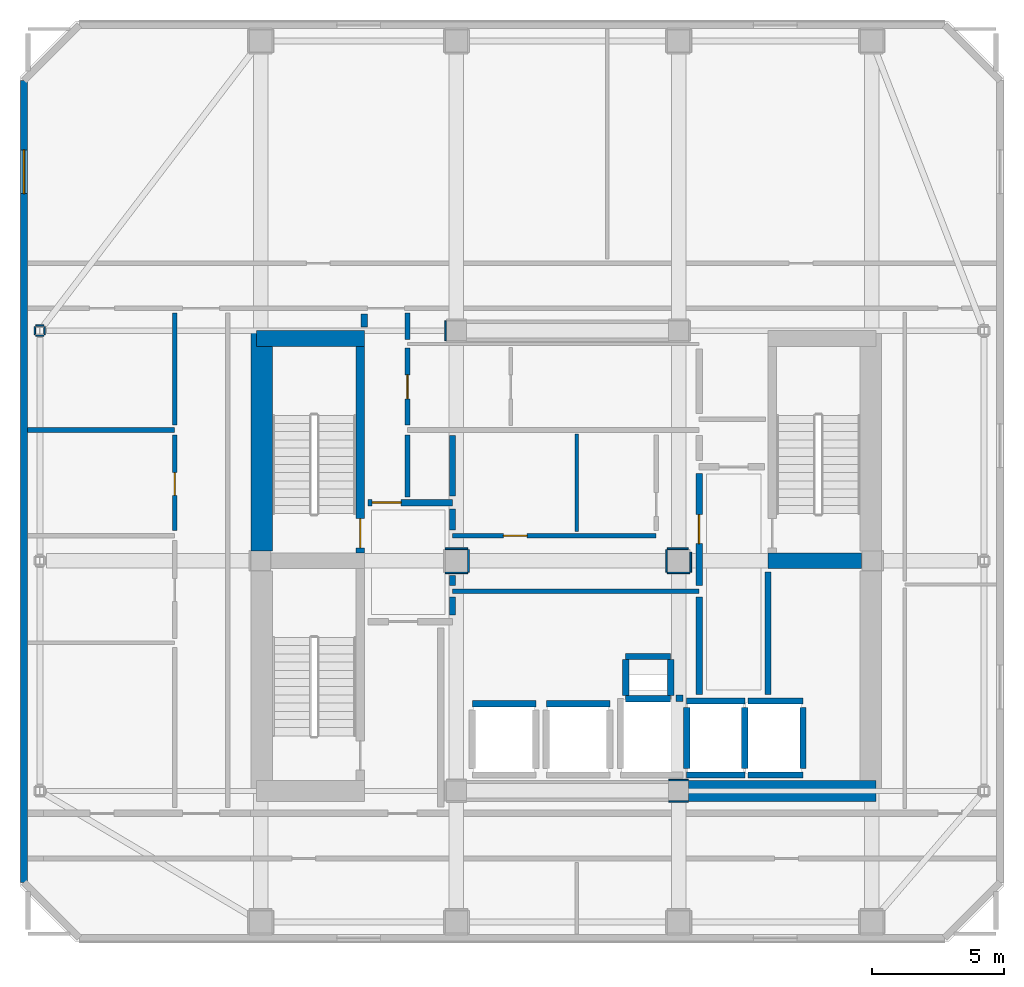
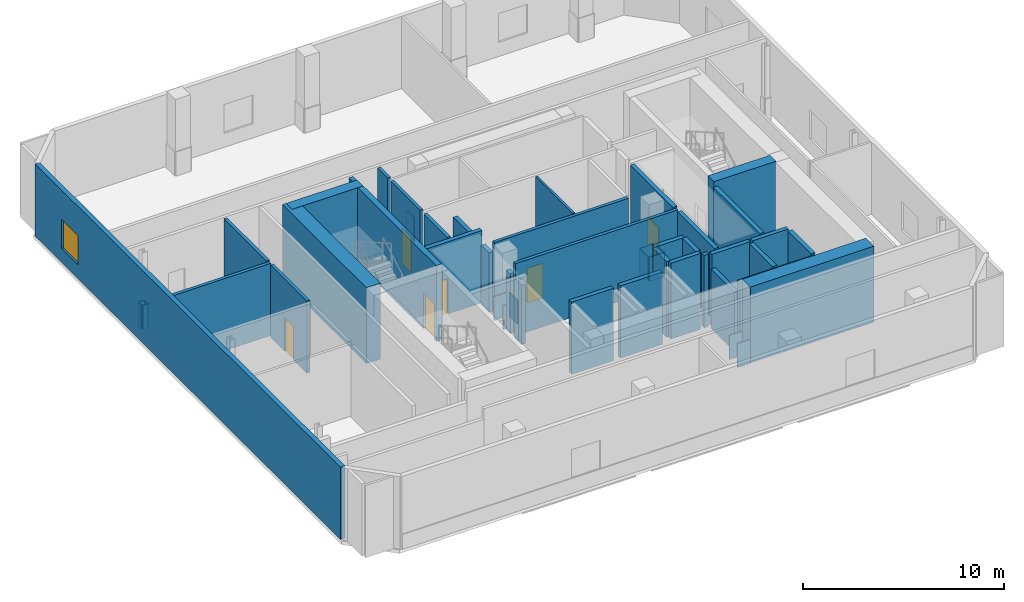
# One storey, part 5 of 10: 52 walls, 6 doors, 1 window, 7 openings.
"""IFC4 building model written with IfcOpenShell, lengths in metres."""

from ifc_helpers import new_model, si_unit, direction, frame, frame_2d, origin, place, context, subcontext, project, spatial, rectangle, extrude, material, layer, layer_set, type_object, element, fill, save


model = new_model("IFC4")

# Units and contexts
model_context = context("Model", 3, precision=1e-05, world=origin(), true_north=direction((0.0, 1.0)))
body_context = subcontext(model_context, "Body", "Model", "MODEL_VIEW")
ifc_project = project(units=[si_unit("LENGTHUNIT", "METRE"), si_unit("AREAUNIT", "SQUARE_METRE"), si_unit("VOLUMEUNIT", "CUBIC_METRE"), si_unit("PLANEANGLEUNIT", "RADIAN"), si_unit("MASSUNIT", "GRAM", prefix="KILO")], contexts=[model_context])

# Site, building, storey
site_placement = place(None, origin())
site = spatial("IfcSite", under=ifc_project, at=site_placement, CompositionType="ELEMENT")
building_placement = place(site_placement, origin())
building = spatial("IfcBuilding", under=site, at=building_placement, Name="Solanera Arch Residences", CompositionType="ELEMENT")
storey_placement = place(building_placement, frame((0.0, 0.0, 268.8798828125)))
storey = spatial("IfcBuildingStorey", under=building, at=storey_placement, Name="L78", CompositionType="ELEMENT", Elevation=268.8798828125)

# Walls
ifc_material_1 = material(Name="Fire-Rated Gypsum Stud Partition", Category="gypsum")
ifc_layer_1 = layer(ifc_material_1, 0.06005859375)
ifc_layer_set_1 = layer_set([ifc_layer_1], Name="Fire-Rated Gypsum Stud Partition")
wall_type_1 = type_object("IfcWallType", Name="Column Acoustic Furring Wall 60", PredefinedType="PARTITIONING", material=ifc_layer_set_1)
for number, where, z_axis, x_axis, name in (
    (1, (28.8330078125, 21.593017578125, 0.0), (0.0, 0.0, 1.0), (1.0, 0.0, 0.0), "L78 Column Furring 2S"),
    (2, (28.8330078125, 22.406982421875, 0.0), (0.0, 0.0, 1.0), (1.0, 0.0, 0.0), "L78 Column Furring 2N"),
):
    element("IfcWall", number, at=place(storey_placement, frame(where, z_axis=z_axis, x_axis=x_axis)), inside=storey, type_object=wall_type_1, Name=name, PredefinedType="PARTITIONING", context=body_context, shape_type="SweptSolid", body=[
        extrude(rectangle(XDim=0.73388671875, YDim=0.06005859375, at=frame_2d((0.366943359375, 0.0))), origin(), (0.0, 0.0, 1.0), 1.4501953125),
    ])
wall_1_placement = place(storey_placement, frame((20.39306640625, 39.02490234375, 0.0), z_axis=(0.0, 0.0, 1.0), x_axis=(0.0, 1.0, 0.0)))
element("IfcWall", 3, at=wall_1_placement, inside=storey, type_object=wall_type_1, Name="L78 Column Furring 3W", PredefinedType="PARTITIONING", context=body_context, shape_type="SweptSolid", body=[
    extrude(rectangle(XDim=0.75, YDim=0.06005859375, at=frame_2d((0.375, 0.0))), origin(), (0.0, 0.0, 1.0), 1.4501953125),
])
for number, where, z_axis, x_axis, name in (
    (4, (20.375, 30.242919921875, 0.0), (0.0, 0.0, 1.0), (1.0, 0.0, 0.0), "L78 Column Furring 7S"),
    (5, (20.375, 31.156982421875, 0.0), (0.0, 0.0, 1.0), (1.0, 0.0, 0.0), "L78 Column Furring 7N"),
    (6, (21.257080078125, 30.27490234375, 0.0), (0.0, 0.0, 1.0), (0.0, 1.0, 0.0), "L78 Column Furring 7E"),
    (7, (28.77490234375, 30.242919921875, 0.0), (0.0, 0.0, 1.0), (1.0, 0.0, 0.0), "L78 Column Furring 8S"),
):
    element("IfcWall", number, at=place(storey_placement, frame(where, z_axis=z_axis, x_axis=x_axis)), inside=storey, type_object=wall_type_1, Name=name, PredefinedType="PARTITIONING", context=body_context, shape_type="SweptSolid", body=[
        extrude(rectangle(XDim=0.85009765625, YDim=0.06005859375, at=frame_2d((0.425048828125, 0.0))), origin(), (0.0, 0.0, 1.0), 1.4501953125),
    ])
wall_2_placement = place(storey_placement, frame((28.77490234375, 31.156982421875, 0.0), z_axis=(0.0, 0.0, 1.0), x_axis=(1.0, 0.0, 0.0)))
element("IfcWall", 8, at=wall_2_placement, inside=storey, type_object=wall_type_1, Name="L78 Column Furring 8N", PredefinedType="PARTITIONING", context=body_context, shape_type="SweptSolid", body=[
    extrude(rectangle(XDim=0.794189453125, YDim=0.06005859375, at=frame_2d((0.39697265625, 0.0))), origin(), (0.0, 0.0, 1.0), 1.4501953125),
])
wall_3_placement = place(storey_placement, frame((28.742919921875, 30.27490234375, 0.0), z_axis=(0.0, 0.0, 1.0), x_axis=(0.0, 1.0, 0.0)))
element("IfcWall", 9, at=wall_3_placement, inside=storey, type_object=wall_type_1, Name="L78 Column Furring 8W", PredefinedType="PARTITIONING", context=body_context, shape_type="SweptSolid", body=[
    extrude(rectangle(XDim=0.85009765625, YDim=0.06005859375, at=frame_2d((0.425048828125, 0.0))), origin(), (0.0, 0.0, 1.0), 1.4501953125),
])
wall_4_placement = place(storey_placement, frame((29.656982421875, 30.27490234375, 0.0), z_axis=(0.0, 0.0, 1.0), x_axis=(0.0, 1.0, 0.0)))
element("IfcWall", 10, at=wall_4_placement, inside=storey, type_object=wall_type_1, Name="L78 Column Furring 8E", PredefinedType="PARTITIONING", context=body_context, shape_type="SweptSolid", body=[
    extrude(rectangle(XDim=0.757080078125, YDim=0.06005859375, at=frame_2d((0.37841796875, 0.0))), origin(), (0.0, 0.0, 1.0), 1.4501953125),
])
for number, where, z_axis, x_axis, name in (
    (11, (4.89697265625, 39.214111328125, 0.0), (0.0, 0.0, 1.0), (1.0, 0.0, 0.0), "L78 Column Furring 21S"),
    (12, (4.89697265625, 39.5859375, 0.0), (0.0, 0.0, 1.0), (1.0, 0.0, 0.0), "L78 Column Furring 21N"),
):
    element("IfcWall", number, at=place(storey_placement, frame(where, z_axis=z_axis, x_axis=x_axis)), inside=storey, type_object=wall_type_1, Name=name, PredefinedType="PARTITIONING", context=body_context, shape_type="SweptSolid", body=[
        extrude(rectangle(XDim=0.304931640625, YDim=0.06005859375, at=frame_2d((0.15234375, 0.0))), origin(), (0.0, 0.0, 1.0), 1.4501953125),
    ])
for number, where, z_axis, x_axis, name in (
    (13, (4.864990234375, 39.24609375, 0.0), (0.0, 0.0, 1.0), (0.0, 1.0, 0.0), "L78 Column Furring 21W"),
    (14, (5.23388671875, 39.24609375, 0.0), (0.0, 0.0, 1.0), (0.0, 1.0, 0.0), "L78 Column Furring 21E"),
):
    element("IfcWall", number, at=place(storey_placement, frame(where, z_axis=z_axis, x_axis=x_axis)), inside=storey, type_object=wall_type_1, Name=name, PredefinedType="PARTITIONING", context=body_context, shape_type="SweptSolid", body=[
        extrude(rectangle(XDim=0.307861328125, YDim=0.06005859375, at=frame_2d((0.15380859375, 0.0))), origin(), (0.0, 0.0, 1.0), 1.4501953125),
    ])

# Wall, opening, door
ifc_material_2 = material(Name="Concrete C40/50 (f'c = 45 MPa)", Category="concrete")
ifc_layer_2 = layer(ifc_material_2, 0.320068359375)
ifc_layer_set_2 = layer_set([ifc_layer_2], Name="Concrete C40/50 (f'c = 45 MPa)")
wall_type_2 = type_object("IfcWallType", Name="Core Shear Wall CW-320", PredefinedType="SHEAR", material=ifc_layer_set_2)
wall_5_placement = place(storey_placement, frame((17.159912109375, 31.0, 0.0), z_axis=(0.0, 0.0, 1.0), x_axis=(0.0, 1.0, 0.0)))
wall_5 = element("IfcWall", 15, at=wall_5_placement, inside=storey, type_object=wall_type_2, Name="L78 Stair ST-T1 East Shear Wall", PredefinedType="SHEAR", context=body_context, shape_type="SweptSolid", body=[
    extrude(rectangle(XDim=7.800048828125, YDim=0.320068359375, at=frame_2d((3.89990234375, 0.0))), origin(), (0.0, 0.0, 1.0), 4.60009765625),
])
opening_1_placement = place(wall_5_placement, frame((0.18994140625, 0.0, 0.0)))
opening_1 = element("IfcOpeningElement", 16, at=opening_1_placement, cuts=wall_5, Name="Opening DF-01", PredefinedType="OPENING", context=body_context, shape_type="SweptSolid", body=[
    extrude(rectangle(XDim=1.10009765625, YDim=2.14990234375, at=frame_2d((0.550048828125, 1.074951171875))), frame((0.0, 0.169921875, 0.0), z_axis=(0.0, -1.0, 0.0), x_axis=(1.0, 0.0, 0.0)), (0.0, 0.0, 1.0), 0.3401),
])
ifc_material_3 = material(Name="Fire-Rated Architectural Hardwood", Category="wood")
door_type_1 = type_object("IfcDoorType", Name="Stair Exit Fire Door DF-01", OperationType="NOTDEFINED", PredefinedType="DOOR", material=ifc_material_3)
door_1_placement = place(opening_1_placement, origin())
door_1 = element("IfcDoor", 17, at=door_1_placement, inside=storey, type_object=door_type_1, Name="DR-L78-STAIR-ST-T1", OperationType="SINGLE_SWING_LEFT", OverallHeight=2.14990234375, OverallWidth=1.10009765625, PredefinedType="DOOR", context=body_context, shape_type="SweptSolid", body=[
    extrude(rectangle(XDim=1.10009765625, YDim=2.14990234375, at=frame_2d((0.550048828125, 1.074951171875))), frame((0.0, 0.02490234375, 0.0), z_axis=(0.0, -1.0, 0.0), x_axis=(1.0, 0.0, 0.0)), (0.0, 0.0, 1.0), 0.050048828125),
])
fill(opening_1, door_1)

# Walls
ifc_material_4 = material(Name="Concrete C40/50 (f'c = 45 MPa)", Category="concrete")
ifc_layer_3 = layer(ifc_material_4, 0.60009765625)
ifc_layer_set_3 = layer_set([ifc_layer_3], Name="Concrete C40/50 (f'c = 45 MPa)")
wall_type_3 = type_object("IfcWallType", Name="Core Shear Wall CW-600", PredefinedType="SHEAR", material=ifc_layer_set_3)
wall_6_placement = place(storey_placement, frame((13.239990234375, 39.10009765625, 0.0), z_axis=(0.0, 0.0, 1.0), x_axis=(1.0, 0.0, 0.0)))
element("IfcWall", 18, at=wall_6_placement, inside=storey, type_object=wall_type_3, Name="L78 North-West Core Shear Wall", PredefinedType="SHEAR", context=body_context, shape_type="SweptSolid", body=[
    extrude(rectangle(XDim=4.080078125, YDim=0.60009765625, at=frame_2d((2.0400390625, 0.0))), origin(), (0.0, 0.0, 1.0), 4.60009765625),
])
wall_7_placement = place(storey_placement, frame((32.580078125, 30.699951171875, 0.0), z_axis=(0.0, 0.0, 1.0), x_axis=(1.0, 0.0, 0.0)))
element("IfcWall", 19, at=wall_7_placement, inside=storey, type_object=wall_type_3, Name="L78 East Stair Far-Landing Shear Wall", PredefinedType="SHEAR", context=body_context, shape_type="SweptSolid", body=[
    extrude(rectangle(XDim=3.5400390625, YDim=0.60009765625, at=frame_2d((1.77001953125, 0.0))), origin(), (0.0, 0.0, 1.0), 4.60009765625),
])
ifc_material_5 = material(Name="Concrete C40/50 (f'c = 45 MPa)", Category="concrete")
ifc_layer_4 = layer(ifc_material_5, 0.800048828125)
ifc_layer_set_4 = layer_set([ifc_layer_4], Name="Concrete C40/50 (f'c = 45 MPa)")
wall_type_4 = type_object("IfcWallType", Name="Core Shear Wall CW-800", PredefinedType="SHEAR", material=ifc_layer_set_4)
wall_8_placement = place(storey_placement, frame((13.43994140625, 31.080078125, 0.0), z_axis=(0.0, 0.0, 1.0), x_axis=(0.0, 1.0, 0.0)))
element("IfcWall", 20, at=wall_8_placement, inside=storey, type_object=wall_type_4, Name="L78 West Core North Shear Wall", PredefinedType="SHEAR", context=body_context, shape_type="SweptSolid", body=[
    extrude(rectangle(XDim=8.31982421875, YDim=0.800048828125, at=frame_2d((4.159912109375, 0.0))), origin(), (0.0, 0.0, 1.0), 4.60009765625),
])
wall_9_placement = place(storey_placement, frame((29.580078125, 22.0, 0.0), z_axis=(0.0, 0.0, 1.0), x_axis=(1.0, 0.0, 0.0)))
element("IfcWall", 21, at=wall_9_placement, inside=storey, type_object=wall_type_4, Name="L78 South-East Core Shear Wall", PredefinedType="SHEAR", context=body_context, shape_type="SweptSolid", body=[
    extrude(rectangle(XDim=7.079833984375, YDim=0.800048828125, at=frame_2d((3.5400390625, 0.0))), origin(), (0.0, 0.0, 1.0), 4.60009765625),
])
ifc_material_6 = material(Name="Autoclaved Aerated Concrete Blockwork", Category="masonry")
ifc_layer_5 = layer(ifc_material_6, 0.179931640625)
ifc_layer_set_5 = layer_set([ifc_layer_5], Name="Autoclaved Aerated Concrete Blockwork")
wall_type_5 = type_object("IfcWallType", Name="Corridor Fire Partition 180", PredefinedType="PARTITIONING", material=ifc_layer_set_5)
wall_10_placement = place(storey_placement, frame((20.64990234375, 29.550048828125, 0.0), z_axis=(0.0, 0.0, 1.0), x_axis=(1.0, 0.0, 0.0)))
element("IfcWall", 22, at=wall_10_placement, inside=storey, type_object=wall_type_5, Name="L78 Interior Partition H7", PredefinedType="PARTITIONING", context=body_context, shape_type="SweptSolid", body=[
    extrude(rectangle(XDim=9.3251953125, YDim=0.179931640625, at=frame_2d((4.66259765625, 0.0))), origin(), (0.0, 0.0, 1.0), 4.380126953125),
])

# Wall, opening, door
wall_11_placement = place(storey_placement, frame((20.64990234375, 31.64990234375, 0.0), z_axis=(0.0, 0.0, 1.0), x_axis=(1.0, 0.0, 0.0)))
wall_11 = element("IfcWall", 23, at=wall_11_placement, inside=storey, type_object=wall_type_5, Name="L78 Interior Partition H9", PredefinedType="PARTITIONING", context=body_context, shape_type="SweptSolid", body=[
    extrude(rectangle(XDim=7.7001953125, YDim=0.179931640625, at=frame_2d((3.85009765625, 0.0))), origin(), (0.0, 0.0, 1.0), 4.380126953125),
])
opening_2_placement = place(wall_11_placement, frame((1.924072265625, 0.0, 0.0)))
opening_2 = element("IfcOpeningElement", 24, at=opening_2_placement, cuts=wall_11, Name="Opening DI-02", PredefinedType="OPENING", context=body_context, shape_type="SweptSolid", body=[
    extrude(rectangle(XDim=0.89990234375, YDim=2.10009765625, at=frame_2d((0.449951171875, 1.050048828125))), frame((0.0, 0.10009765625, 0.0), z_axis=(0.0, -1.0, 0.0), x_axis=(1.0, 0.0, 0.0)), (0.0, 0.0, 1.0), 0.1999),
])
ifc_material_7 = material(Name="Fire-Rated Architectural Hardwood", Category="wood")
door_type_2 = type_object("IfcDoorType", Name="Suite Room Swing Door DI-02", OperationType="NOTDEFINED", PredefinedType="DOOR", material=ifc_material_7)
door_2_placement = place(opening_2_placement, origin())
door_2 = element("IfcDoor", 25, at=door_2_placement, inside=storey, type_object=door_type_2, Name="DR-L78-IN-014", OperationType="SINGLE_SWING_RIGHT", OverallHeight=2.10009765625, OverallWidth=0.89990234375, PredefinedType="DOOR", context=body_context, shape_type="SweptSolid", body=[
    extrude(rectangle(XDim=0.89990234375, YDim=2.10009765625, at=frame_2d((0.449951171875, 1.050048828125))), frame((0.0, 0.02490234375, 0.0), z_axis=(0.0, -1.0, 0.0), x_axis=(1.0, 0.0, 0.0)), (0.0, 0.0, 1.0), 0.050048828125),
])
fill(opening_2, door_2)

# Wall
wall_12_placement = place(storey_placement, frame((4.5869140625, 35.64990234375, 0.0), z_axis=(0.0, 0.0, 1.0), x_axis=(1.0, 0.0, 0.0)))
element("IfcWall", 26, at=wall_12_placement, inside=storey, type_object=wall_type_5, Name="L78 Interior Partition H10", PredefinedType="PARTITIONING", context=body_context, shape_type="SweptSolid", body=[
    extrude(rectangle(XDim=5.56298828125, YDim=0.179931640625, at=frame_2d((2.781494140625, 0.0))), origin(), (0.0, 0.0, 1.0), 4.380126953125),
])

# Wall, opening, door
wall_13_placement = place(storey_placement, frame((10.14990234375, 31.837890625, 0.0), z_axis=(0.0, 0.0, 1.0), x_axis=(0.0, 1.0, 0.0)))
wall_13 = element("IfcWall", 27, at=wall_13_placement, inside=storey, type_object=wall_type_5, Name="L78 Interior Partition V7 3", PredefinedType="PARTITIONING", context=body_context, shape_type="SweptSolid", body=[
    extrude(rectangle(XDim=3.6240234375, YDim=0.179931640625, at=frame_2d((1.81201171875, 0.0))), origin(), (0.0, 0.0, 1.0), 4.380126953125),
])
opening_3_placement = place(wall_13_placement, frame((1.33203125, 0.0, 0.0)))
opening_3 = element("IfcOpeningElement", 28, at=opening_3_placement, cuts=wall_13, Name="Opening DI-05", PredefinedType="OPENING", context=body_context, shape_type="SweptSolid", body=[
    extrude(rectangle(XDim=0.860107421875, YDim=2.02001953125, at=frame_2d((0.43017578125, 1.010009765625))), frame((0.0, 0.10009765625, 0.0), z_axis=(0.0, -1.0, 0.0), x_axis=(1.0, 0.0, 0.0)), (0.0, 0.0, 1.0), 0.1999),
])
ifc_material_8 = material(Name="Fire-Rated Architectural Hardwood", Category="wood")
door_type_3 = type_object("IfcDoorType", Name="Bathroom Swing Door DI-05", OperationType="NOTDEFINED", PredefinedType="DOOR", material=ifc_material_8)
door_3_placement = place(opening_3_placement, origin())
door_3 = element("IfcDoor", 29, at=door_3_placement, inside=storey, type_object=door_type_3, Name="DR-L78-IN-022", OperationType="SINGLE_SWING_RIGHT", OverallHeight=2.02001953125, OverallWidth=0.860107421875, PredefinedType="DOOR", context=body_context, shape_type="SweptSolid", body=[
    extrude(rectangle(XDim=0.860107421875, YDim=2.02001953125, at=frame_2d((0.43017578125, 1.010009765625))), frame((0.0, 0.02490234375, 0.0), z_axis=(0.0, -1.0, 0.0), x_axis=(1.0, 0.0, 0.0)), (0.0, 0.0, 1.0), 0.050048828125),
])
fill(opening_3, door_3)

# Walls
wall_14_placement = place(storey_placement, frame((10.14990234375, 35.837890625, 0.0), z_axis=(0.0, 0.0, 1.0), x_axis=(0.0, 1.0, 0.0)))
element("IfcWall", 30, at=wall_14_placement, inside=storey, type_object=wall_type_5, Name="L78 Interior Partition V7 4", PredefinedType="PARTITIONING", context=body_context, shape_type="SweptSolid", body=[
    extrude(rectangle(XDim=4.22412109375, YDim=0.179931640625, at=frame_2d((2.112060546875, 0.0))), origin(), (0.0, 0.0, 1.0), 4.380126953125),
])
wall_15_placement = place(storey_placement, frame((18.949951171875, 33.117919921875, 0.0), z_axis=(0.0, 0.0, 1.0), x_axis=(0.0, 1.0, 0.0)))
element("IfcWall", 31, at=wall_15_placement, inside=storey, type_object=wall_type_5, Name="L78 Interior Partition V9 1", PredefinedType="PARTITIONING", context=body_context, shape_type="SweptSolid", body=[
    extrude(rectangle(XDim=2.343994140625, YDim=0.179931640625, at=frame_2d((1.171875, 0.0))), origin(), (0.0, 0.0, 1.0), 4.380126953125),
])

# Wall, opening, door
wall_16_placement = place(storey_placement, frame((18.949951171875, 35.837890625, 0.0), z_axis=(0.0, 0.0, 1.0), x_axis=(0.0, 1.0, 0.0)))
wall_16 = element("IfcWall", 32, at=wall_16_placement, inside=storey, type_object=wall_type_5, Name="L78 Interior Partition V9 2", PredefinedType="PARTITIONING", context=body_context, shape_type="SweptSolid", body=[
    extrude(rectangle(XDim=2.904052734375, YDim=0.179931640625, at=frame_2d((1.4521484375, 0.0))), origin(), (0.0, 0.0, 1.0), 4.380126953125),
])
opening_4_placement = place(wall_16_placement, frame((0.987060546875, 0.0, 0.0)))
opening_4 = element("IfcOpeningElement", 33, at=opening_4_placement, cuts=wall_16, Name="Opening DI-02", PredefinedType="OPENING", context=body_context, shape_type="SweptSolid", body=[
    extrude(rectangle(XDim=0.89990234375, YDim=2.10009765625, at=frame_2d((0.449951171875, 1.050048828125))), frame((0.0, 0.10009765625, 0.0), z_axis=(0.0, -1.0, 0.0), x_axis=(1.0, 0.0, 0.0)), (0.0, 0.0, 1.0), 0.1999),
])
door_4_placement = place(opening_4_placement, origin())
door_4 = element("IfcDoor", 34, at=door_4_placement, inside=storey, type_object=door_type_2, Name="DR-L78-IN-012", OperationType="SINGLE_SWING_RIGHT", OverallHeight=2.10009765625, OverallWidth=0.89990234375, PredefinedType="DOOR", context=body_context, shape_type="SweptSolid", body=[
    extrude(rectangle(XDim=0.89990234375, YDim=2.10009765625, at=frame_2d((0.449951171875, 1.050048828125))), frame((0.0, 0.02490234375, 0.0), z_axis=(0.0, -1.0, 0.0), x_axis=(1.0, 0.0, 0.0)), (0.0, 0.0, 1.0), 0.050048828125),
])
fill(opening_4, door_4)

# Wall
wall_17_placement = place(storey_placement, frame((18.949951171875, 39.05810546875, 0.0), z_axis=(0.0, 0.0, 1.0), x_axis=(0.0, 1.0, 0.0)))
element("IfcWall", 35, at=wall_17_placement, inside=storey, type_object=wall_type_5, Name="L78 Interior Partition V9 3", PredefinedType="PARTITIONING", context=body_context, shape_type="SweptSolid", body=[
    extrude(rectangle(XDim=1.00390625, YDim=0.179931640625, at=frame_2d((0.501953125, 0.0))), origin(), (0.0, 0.0, 1.0), 4.380126953125),
])

# Wall, opening, window
ifc_material_9 = material(Name="Precast Concrete C35/45", Category="concrete")
ifc_layer_6 = layer(ifc_material_9, 0.260009765625)
ifc_layer_set_6 = layer_set([ifc_layer_6], Name="Precast Concrete C35/45")
wall_type_6 = type_object("IfcWallType", Name="Exterior Wall Precast Masonry-Frame 260", PredefinedType="STANDARD", material=ifc_layer_set_6)
wall_18_placement = place(storey_placement, frame((4.445068359375, 18.544921875, 0.0), z_axis=(0.0, 0.0, 1.0), x_axis=(0.0, 1.0, 0.0)))
wall_18 = element("IfcWall", 36, at=wall_18_placement, inside=storey, type_object=wall_type_6, Name="L78 Tower Exterior Precast Masonry-Frame Wall W", PredefinedType="STANDARD", context=body_context, shape_type="SweptSolid", body=[
    extrude(rectangle(XDim=30.31005859375, YDim=0.260009765625, at=frame_2d((15.155029296875, 0.0))), origin(), (0.0, 0.0, 1.0), 4.380126953125),
])
opening_5_placement = place(wall_18_placement, frame((26.0380859375, 0.0, 0.85009765625)))
opening_5 = element("IfcOpeningElement", 37, at=opening_5_placement, cuts=wall_18, Name="Opening W-08", PredefinedType="OPENING", context=body_context, shape_type="SweptSolid", body=[
    extrude(rectangle(XDim=1.64990234375, YDim=1.75, at=frame_2d((0.824951171875, 0.875))), frame((0.0, 0.139892578125, 0.0), z_axis=(0.0, -1.0, 0.0), x_axis=(1.0, 0.0, 0.0)), (0.0, 0.0, 1.0), 0.28),
])
ifc_material_10 = material(Name="Double Glazed Low-E Laminated Glass", Category="glass")
window_type = type_object("IfcWindowType", Name="Punched Window W-08", PartitioningType="DOUBLE_PANEL_HORIZONTAL", PredefinedType="WINDOW", material=ifc_material_10)
window_placement = place(opening_5_placement, origin())
window = element("IfcWindow", 38, at=window_placement, inside=storey, type_object=window_type, Name="L78 OBS-N Punched Window", OverallHeight=1.75, OverallWidth=1.64990234375, PartitioningType="SINGLE_PANEL", PredefinedType="WINDOW", context=body_context, shape_type="SweptSolid", body=[
    extrude(rectangle(XDim=1.64990234375, YDim=1.75, at=frame_2d((0.824951171875, 0.875))), frame((0.0, 0.030029296875, 0.0), z_axis=(0.0, -1.0, 0.0), x_axis=(1.0, 0.0, 0.0)), (0.0, 0.0, 1.0), 0.06005859375),
])
fill(opening_5, window)

# Walls
ifc_material_11 = material(Name="Concrete C40/50 (f'c = 45 MPa)", Category="concrete")
ifc_layer_7 = layer(ifc_material_11, 0.239990234375)
ifc_layer_set_7 = layer_set([ifc_layer_7], Name="Concrete C40/50 (f'c = 45 MPa)")
wall_type_7 = type_object("IfcWallType", Name="Ramp Bearing Shear Wall RW-240", PredefinedType="SHEAR", material=ifc_layer_set_7)
for number, where, z_axis, x_axis, name in (
    (39, (27.199951171875, 25.47998046875, 0.0), (0.0, 0.0, 1.0), (1.0, 0.0, 0.0), "L78 Core MEP Riser South Shaft Wall"),
    (40, (27.199951171875, 27.080078125, 0.0), (0.0, 0.0, 1.0), (1.0, 0.0, 0.0), "L78 Core MEP Riser North Shaft Wall"),
):
    element("IfcWall", number, at=place(storey_placement, frame(where, z_axis=z_axis, x_axis=x_axis)), inside=storey, type_object=wall_type_7, Name=name, PredefinedType="SHEAR", context=body_context, shape_type="SweptSolid", body=[
        extrude(rectangle(XDim=1.699951171875, YDim=0.239990234375, at=frame_2d((0.85009765625, 0.0))), origin(), (0.0, 0.0, 1.0), 4.60009765625),
    ])
for number, where, z_axis, x_axis, name in (
    (41, (27.199951171875, 25.60009765625, 0.0), (0.0, 0.0, 1.0), (0.0, 1.0, 0.0), "L78 Core MEP Riser West Shaft Wall"),
    (42, (28.89990234375, 25.60009765625, 0.0), (0.0, 0.0, 1.0), (0.0, 1.0, 0.0), "L78 Core MEP Riser East Shaft Wall"),
):
    element("IfcWall", number, at=place(storey_placement, frame(where, z_axis=z_axis, x_axis=x_axis)), inside=storey, type_object=wall_type_7, Name=name, PredefinedType="SHEAR", context=body_context, shape_type="SweptSolid", body=[
        extrude(rectangle(XDim=1.35986328125, YDim=0.239990234375, at=frame_2d((0.679931640625, 0.0))), origin(), (0.0, 0.0, 1.0), 4.60009765625),
    ])
ifc_material_12 = material(Name="Autoclaved Aerated Concrete Blockwork", Category="masonry")
ifc_layer_8 = layer(ifc_material_12, 0.239990234375)
ifc_layer_set_8 = layer_set([ifc_layer_8], Name="Autoclaved Aerated Concrete Blockwork")
wall_type_8 = type_object("IfcWallType", Name="Shaft Wall Fire-Rated 240", PredefinedType="PARTITIONING", material=ifc_layer_set_8)
for number, where, z_axis, x_axis, name in (
    (43, (21.39990234375, 25.300048828125, 0.0), (0.0, 0.0, 1.0), (1.0, 0.0, 0.0), "L78 Lift PL-OBS1 Hoistway Wall N"),
    (44, (24.199951171875, 25.300048828125, 0.0), (0.0, 0.0, 1.0), (1.0, 0.0, 0.0), "L78 Lift PL-OBS2 Hoistway Wall N"),
):
    element("IfcWall", number, at=place(storey_placement, frame(where, z_axis=z_axis, x_axis=x_axis)), inside=storey, type_object=wall_type_8, Name=name, PredefinedType="PARTITIONING", context=body_context, shape_type="SweptSolid", body=[
        extrude(rectangle(XDim=2.400146484375, YDim=0.239990234375, at=frame_2d((1.2001953125, 0.0))), origin(), (0.0, 0.0, 1.0), 4.380126953125),
    ])
for number, where, z_axis, x_axis, name in (
    (45, (29.5, 22.60009765625, 0.0), (0.0, 0.0, 1.0), (1.0, 0.0, 0.0), "L78 Lift FFL-1 Hoistway Wall S"),
    (46, (29.5, 25.39990234375, 0.0), (0.0, 0.0, 1.0), (1.0, 0.0, 0.0), "L78 Lift FFL-1 Hoistway Wall N"),
):
    element("IfcWall", number, at=place(storey_placement, frame(where, z_axis=z_axis, x_axis=x_axis)), inside=storey, type_object=wall_type_8, Name=name, PredefinedType="PARTITIONING", context=body_context, shape_type="SweptSolid", body=[
        extrude(rectangle(XDim=2.199951171875, YDim=0.239990234375, at=frame_2d((1.10009765625, 0.0))), origin(), (0.0, 0.0, 1.0), 4.380126953125),
    ])
wall_19_placement = place(storey_placement, frame((29.5, 22.847900390625, 0.0), z_axis=(0.0, 0.0, 1.0), x_axis=(0.0, 1.0, 0.0)))
element("IfcWall", 47, at=wall_19_placement, inside=storey, type_object=wall_type_8, Name="L78 Lift FFL-1 Hoistway Wall W", PredefinedType="PARTITIONING", context=body_context, shape_type="SweptSolid", body=[
    extrude(rectangle(XDim=2.30419921875, YDim=0.239990234375, at=frame_2d((1.152099609375, 0.0))), origin(), (0.0, 0.0, 1.0), 3.615234375),
])
wall_20_placement = place(storey_placement, frame((31.699951171875, 22.847900390625, 0.0), z_axis=(0.0, 0.0, 1.0), x_axis=(0.0, 1.0, 0.0)))
element("IfcWall", 48, at=wall_20_placement, inside=storey, type_object=wall_type_8, Name="L78 Lift FFL-1 Hoistway Wall E", PredefinedType="PARTITIONING", context=body_context, shape_type="SweptSolid", body=[
    extrude(rectangle(XDim=2.30419921875, YDim=0.239990234375, at=frame_2d((1.152099609375, 0.0))), origin(), (0.0, 0.0, 1.0), 4.380126953125),
])
for number, where, z_axis, x_axis, name in (
    (49, (31.827880859375, 22.60009765625, 0.0), (0.0, 0.0, 1.0), (1.0, 0.0, 0.0), "L78 Lift FFL-2 Hoistway Wall S"),
    (50, (31.827880859375, 25.39990234375, 0.0), (0.0, 0.0, 1.0), (1.0, 0.0, 0.0), "L78 Lift FFL-2 Hoistway Wall N"),
):
    element("IfcWall", number, at=place(storey_placement, frame(where, z_axis=z_axis, x_axis=x_axis)), inside=storey, type_object=wall_type_8, Name=name, PredefinedType="PARTITIONING", context=body_context, shape_type="SweptSolid", body=[
        extrude(rectangle(XDim=2.072021484375, YDim=0.239990234375, at=frame_2d((1.0361328125, 0.0))), origin(), (0.0, 0.0, 1.0), 4.380126953125),
    ])
wall_21_placement = place(storey_placement, frame((33.89990234375, 22.847900390625, 0.0), z_axis=(0.0, 0.0, 1.0), x_axis=(0.0, 1.0, 0.0)))
element("IfcWall", 51, at=wall_21_placement, inside=storey, type_object=wall_type_8, Name="L78 Lift FFL-2 Hoistway Wall E", PredefinedType="PARTITIONING", context=body_context, shape_type="SweptSolid", body=[
    extrude(rectangle(XDim=2.30419921875, YDim=0.239990234375, at=frame_2d((1.152099609375, 0.0))), origin(), (0.0, 0.0, 1.0), 4.380126953125),
])
wall_22_placement = place(storey_placement, frame((29.10302734375, 25.5, 0.0), z_axis=(0.0, 0.0, 1.0), x_axis=(1.0, 0.0, 0.0)))
element("IfcWall", 52, at=wall_22_placement, inside=storey, type_object=wall_type_8, Name="L78 Lift SVL-1 Hoistway Wall N", PredefinedType="PARTITIONING", context=body_context, shape_type="SweptSolid", body=[
    extrude(rectangle(XDim=0.26904296875, YDim=0.239990234375, at=frame_2d((0.134521484375, 0.0))), origin(), (0.0, 0.0, 1.0), 4.380126953125),
])

# Wall, opening, door
wall_23_placement = place(storey_placement, frame((17.449951171875, 32.89990234375, 0.0), z_axis=(0.0, 0.0, 1.0), x_axis=(1.0, 0.0, 0.0)))
wall_23 = element("IfcWall", 53, at=wall_23_placement, inside=storey, type_object=wall_type_8, Name="L78 Interior Partition H4", PredefinedType="PARTITIONING", context=body_context, shape_type="SweptSolid", body=[
    extrude(rectangle(XDim=3.199951171875, YDim=0.239990234375, at=frame_2d((1.60009765625, 0.0))), origin(), (0.0, 0.0, 1.0), 4.380126953125),
])
opening_6_placement = place(wall_23_placement, frame((0.158935546875, 0.0, 0.0)))
opening_6 = element("IfcOpeningElement", 54, at=opening_6_placement, cuts=wall_23, Name="Opening DF-02", PredefinedType="OPENING", context=body_context, shape_type="SweptSolid", body=[
    extrude(rectangle(XDim=1.10009765625, YDim=2.14990234375, at=frame_2d((0.550048828125, 1.074951171875))), frame((0.0, 0.1298828125, 0.0), z_axis=(0.0, -1.0, 0.0), x_axis=(1.0, 0.0, 0.0)), (0.0, 0.0, 1.0), 0.26),
])
ifc_material_13 = material(Name="Fire-Rated Architectural Hardwood", Category="wood")
door_type_4 = type_object("IfcDoorType", Name="Firefighting Lobby Fire Door DF-02", OperationType="NOTDEFINED", PredefinedType="DOOR", material=ifc_material_13)
door_5_placement = place(opening_6_placement, origin())
door_5 = element("IfcDoor", 55, at=door_5_placement, inside=storey, type_object=door_type_4, Name="DR-L78-IN-005", OperationType="SINGLE_SWING_LEFT", OverallHeight=2.14990234375, OverallWidth=1.10009765625, PredefinedType="DOOR", context=body_context, shape_type="SweptSolid", body=[
    extrude(rectangle(XDim=1.10009765625, YDim=2.14990234375, at=frame_2d((0.550048828125, 1.074951171875))), frame((0.0, 0.02490234375, 0.0), z_axis=(0.0, -1.0, 0.0), x_axis=(1.0, 0.0, 0.0)), (0.0, 0.0, 1.0), 0.050048828125),
])
fill(opening_6, door_5)

# Walls
wall_24_placement = place(storey_placement, frame((17.320068359375, 39.530029296875, 0.0), z_axis=(0.0, 0.0, 1.0), x_axis=(0.0, 1.0, 0.0)))
element("IfcWall", 56, at=wall_24_placement, inside=storey, type_object=wall_type_8, Name="L78 Interior Partition V1", PredefinedType="PARTITIONING", context=body_context, shape_type="SweptSolid", body=[
    extrude(rectangle(XDim=0.501953125, YDim=0.239990234375, at=frame_2d((0.2509765625, 0.0))), origin(), (0.0, 0.0, 1.0), 4.380126953125),
])
wall_25_placement = place(storey_placement, frame((20.64990234375, 28.64794921875, 0.0), z_axis=(0.0, 0.0, 1.0), x_axis=(0.0, 1.0, 0.0)))
element("IfcWall", 57, at=wall_25_placement, inside=storey, type_object=wall_type_8, Name="L78 Interior Partition V3 1", PredefinedType="PARTITIONING", context=body_context, shape_type="SweptSolid", body=[
    extrude(rectangle(XDim=0.68408203125, YDim=0.239990234375, at=frame_2d((0.342041015625, 0.0))), origin(), (0.0, 0.0, 1.0), 3.615234375),
])
wall_26_placement = place(storey_placement, frame((20.64990234375, 29.76806640625, 0.0), z_axis=(0.0, 0.0, 1.0), x_axis=(0.0, 1.0, 0.0)))
element("IfcWall", 58, at=wall_26_placement, inside=storey, type_object=wall_type_8, Name="L78 Interior Partition V3 2", PredefinedType="PARTITIONING", context=body_context, shape_type="SweptSolid", body=[
    extrude(rectangle(XDim=0.375, YDim=0.239990234375, at=frame_2d((0.1875, 0.0))), origin(), (0.0, 0.0, 1.0), 3.615234375),
])
wall_27_placement = place(storey_placement, frame((20.64990234375, 31.867919921875, 0.0), z_axis=(0.0, 0.0, 1.0), x_axis=(0.0, 1.0, 0.0)))
element("IfcWall", 59, at=wall_27_placement, inside=storey, type_object=wall_type_8, Name="L78 Interior Partition V3 3", PredefinedType="PARTITIONING", context=body_context, shape_type="SweptSolid", body=[
    extrude(rectangle(XDim=0.7841796875, YDim=0.239990234375, at=frame_2d((0.39208984375, 0.0))), origin(), (0.0, 0.0, 1.0), 3.615234375),
])
wall_28_placement = place(storey_placement, frame((20.64990234375, 33.14794921875, 0.0), z_axis=(0.0, 0.0, 1.0), x_axis=(0.0, 1.0, 0.0)))
element("IfcWall", 60, at=wall_28_placement, inside=storey, type_object=wall_type_8, Name="L78 Interior Partition V3 4", PredefinedType="PARTITIONING", context=body_context, shape_type="SweptSolid", body=[
    extrude(rectangle(XDim=2.283935546875, YDim=0.239990234375, at=frame_2d((1.14208984375, 0.0))), origin(), (0.0, 0.0, 1.0), 3.615234375),
])
wall_29_placement = place(storey_placement, frame((29.97509765625, 25.64794921875, 0.0), z_axis=(0.0, 0.0, 1.0), x_axis=(0.0, 1.0, 0.0)))
element("IfcWall", 61, at=wall_29_placement, inside=storey, type_object=wall_type_8, Name="L78 Interior Partition V4 1", PredefinedType="PARTITIONING", context=body_context, shape_type="SweptSolid", body=[
    extrude(rectangle(XDim=3.68408203125, YDim=0.239990234375, at=frame_2d((1.842041015625, 0.0))), origin(), (0.0, 0.0, 1.0), 4.380126953125),
])

# Wall, opening, door
wall_30_placement = place(storey_placement, frame((29.97509765625, 29.76806640625, 0.0), z_axis=(0.0, 0.0, 1.0), x_axis=(0.0, 1.0, 0.0)))
wall_30 = element("IfcWall", 62, at=wall_30_placement, inside=storey, type_object=wall_type_8, Name="L78 Interior Partition V4 2", PredefinedType="PARTITIONING", context=body_context, shape_type="SweptSolid", body=[
    extrude(rectangle(XDim=4.23388671875, YDim=0.239990234375, at=frame_2d((2.116943359375, 0.0))), origin(), (0.0, 0.0, 1.0), 4.380126953125),
])
opening_7_placement = place(wall_30_placement, frame((1.58203125, 0.0, 0.0)))
opening_7 = element("IfcOpeningElement", 63, at=opening_7_placement, cuts=wall_30, Name="Opening DF-02", PredefinedType="OPENING", context=body_context, shape_type="SweptSolid", body=[
    extrude(rectangle(XDim=1.10009765625, YDim=2.14990234375, at=frame_2d((0.550048828125, 1.074951171875))), frame((0.0, 0.1298828125, 0.0), z_axis=(0.0, -1.0, 0.0), x_axis=(1.0, 0.0, 0.0)), (0.0, 0.0, 1.0), 0.26),
])
door_6_placement = place(opening_7_placement, origin())
door_6 = element("IfcDoor", 64, at=door_6_placement, inside=storey, type_object=door_type_4, Name="DR-L78-IN-006", OperationType="SINGLE_SWING_RIGHT", OverallHeight=2.14990234375, OverallWidth=1.10009765625, PredefinedType="DOOR", context=body_context, shape_type="SweptSolid", body=[
    extrude(rectangle(XDim=1.10009765625, YDim=2.14990234375, at=frame_2d((0.550048828125, 1.074951171875))), frame((0.0, 0.02490234375, 0.0), z_axis=(0.0, -1.0, 0.0), x_axis=(1.0, 0.0, 0.0)), (0.0, 0.0, 1.0), 0.050048828125),
])
fill(opening_7, door_6)

# Walls
wall_31_placement = place(storey_placement, frame((32.580078125, 25.64794921875, 0.0), z_axis=(0.0, 0.0, 1.0), x_axis=(0.0, 1.0, 0.0)))
element("IfcWall", 65, at=wall_31_placement, inside=storey, type_object=wall_type_8, Name="L78 Interior Partition V5", PredefinedType="PARTITIONING", context=body_context, shape_type="SweptSolid", body=[
    extrude(rectangle(XDim=4.6220703125, YDim=0.239990234375, at=frame_2d((2.31103515625, 0.0))), origin(), (0.0, 0.0, 1.0), 4.380126953125),
])
ifc_material_14 = material(Name="Fire-Rated Gypsum Stud Partition", Category="gypsum")
ifc_layer_9 = layer(ifc_material_14, 0.1201171875)
ifc_layer_set_9 = layer_set([ifc_layer_9], Name="Fire-Rated Gypsum Stud Partition")
wall_type_9 = type_object("IfcWallType", Name="Unit Drywall Partition 120", PredefinedType="PARTITIONING", material=ifc_layer_set_9)
wall_32_placement = place(storey_placement, frame((25.35009765625, 31.80810546875, 0.0), z_axis=(0.0, 0.0, 1.0), x_axis=(0.0, 1.0, 0.0)))
element("IfcWall", 66, at=wall_32_placement, inside=storey, type_object=wall_type_9, Name="L78 Interior Partition V14", PredefinedType="PARTITIONING", context=body_context, shape_type="SweptSolid", body=[
    extrude(rectangle(XDim=3.683837890625, YDim=0.1201171875, at=frame_2d((1.841796875, 0.0))), origin(), (0.0, 0.0, 1.0), 4.380126953125),
])

save(model, "model.ifc")
